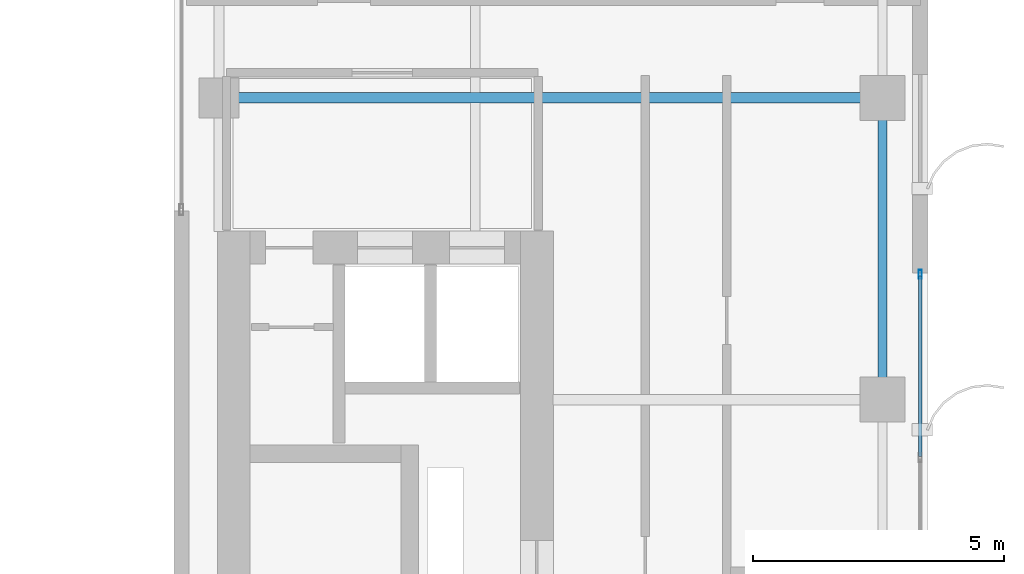
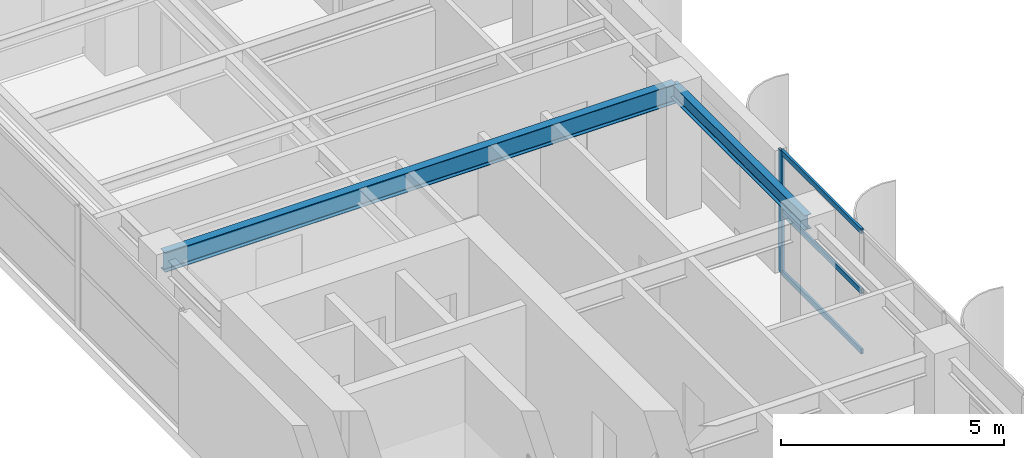
# One storey, part 12 of 22: 4 members, 2 beams, 1 element without a shape of its own.
"""IFC4 building model written with IfcOpenShell, lengths in metres."""

from ifc_helpers import new_model, si_unit, direction, frame, origin, origin_2d, place, context, subcontext, project, spatial, hollow_rectangle, i_section, extrude, source, transform, mapped, material, layer, layer_set, material_profile, profile_set, type_object, element, aggregate, save


model = new_model("IFC4")

# Units and contexts
model_context = context("Model", 3, precision=1e-05, world=origin(), true_north=direction((0.0, 1.0)))
body_context = subcontext(model_context, "Body", "Model", "MODEL_VIEW")
ifc_project = project(units=[si_unit("LENGTHUNIT", "METRE"), si_unit("AREAUNIT", "SQUARE_METRE"), si_unit("VOLUMEUNIT", "CUBIC_METRE"), si_unit("PLANEANGLEUNIT", "RADIAN"), si_unit("MASSUNIT", "GRAM", prefix="KILO")], contexts=[model_context])

# Site, building, storey
site_placement = place(None, origin())
site = spatial("IfcSite", under=ifc_project, at=site_placement, CompositionType="ELEMENT")
building_placement = place(site_placement, origin())
building = spatial("IfcBuilding", under=site, at=building_placement, Name="Khoralis Quay Care Tower", CompositionType="ELEMENT")
storey_placement = place(building_placement, frame((0.0, 0.0, 195.300048828125)))
storey = spatial("IfcBuildingStorey", under=building, at=storey_placement, Name="L51", CompositionType="ELEMENT", Elevation=195.300048828125)

# Beams
ifc_material_1 = material(Name="Steel S355", Category="steel")
ifc_material_profile_1 = material_profile(ifc_material_1, i_section(OverallWidth=0.179931640625, OverallDepth=0.39990234375, WebThickness=0.008544921875, FlangeThickness=0.013427734375, FilletRadius=0.02099609375, at=origin_2d()), Name="Steel S355")
ifc_profile_set_1 = profile_set([ifc_material_profile_1], Name="Steel S355")
beam_type_1 = type_object("IfcBeamType", Name="BM-IPE400", PredefinedType="SPANDREL", material=ifc_profile_set_1)
shared_shape_1 = source(origin(), body_context, "Body", "SweptSolid", [
    extrude(i_section(OverallWidth=0.179931640625, OverallDepth=0.39990234375, WebThickness=0.008544921875, FlangeThickness=0.013427734375, FilletRadius=0.02099609375, at=origin_2d()), origin(), (0.0, 0.0, 1.0), 6.0),
])
beam_1_placement = place(storey_placement, frame((44.10009765625, 24.0, 3.139892578125), z_axis=(0.0, 1.0, 0.0), x_axis=(-1.0, 0.0, 0.0)))
element("IfcBeam", 1, at=beam_1_placement, inside=storey, type_object=beam_type_1, Name="BM-TSP-L51-13", PredefinedType="SPANDREL", context=body_context, shape_type="MappedRepresentation", body=[
    mapped(shared_shape_1, transform((0.0, 0.0, 0.0), scale=1.0)),
])
ifc_material_profile_2 = material_profile(ifc_material_1, i_section(OverallWidth=0.208984375, OverallDepth=0.532958984375, WebThickness=0.01025390625, FlangeThickness=0.015625, FilletRadius=0.01611328125, at=origin_2d()), Name="Steel S355")
ifc_profile_set_2 = profile_set([ifc_material_profile_2], Name="Steel S355")
beam_type_2 = type_object("IfcBeamType", Name="BM-W530X92", PredefinedType="BEAM", material=ifc_profile_set_2)
shared_shape_2 = source(origin(), body_context, "Body", "SweptSolid", [
    extrude(i_section(OverallWidth=0.208984375, OverallDepth=0.532958984375, WebThickness=0.01025390625, FlangeThickness=0.015625, FilletRadius=0.01611328125, at=origin_2d()), origin(), (0.0, 0.0, 1.0), 13.2001953125),
])
beam_2_placement = place(storey_placement, frame((30.89990234375, 30.0, 3.073486328125), z_axis=(1.0, 0.0, 0.0), x_axis=(0.0, 1.0, 0.0)))
element("IfcBeam", 2, at=beam_2_placement, inside=storey, type_object=beam_type_2, Name="BM-TGXE-L51-300", PredefinedType="BEAM", context=body_context, shape_type="MappedRepresentation", body=[
    mapped(shared_shape_2, transform((0.0, 0.0, 0.0), scale=1.0)),
])

# Curtain wall, members
ifc_material_2 = material(Name="Pale anodised aluminium", Category="aluminium")
ifc_layer = layer(ifc_material_2, 0.159912109375)
ifc_layer_set = layer_set([ifc_layer], Name="Pale anodised aluminium")
curtain_wall_type = type_object("IfcCurtainWallType", Name="CW-SYS-Z3", PredefinedType="NOTDEFINED", material=ifc_layer_set)
curtain_wall_placement = place(storey_placement, origin())
curtain_wall = element("IfcCurtainWall", 3, at=curtain_wall_placement, inside=storey, type_object=curtain_wall_type, Name="L51 Unitised Curtain Wall CW-L51-P2-E5", PredefinedType="NOTDEFINED")
ifc_material_profile_3 = material_profile(ifc_material_2, hollow_rectangle(XDim=0.06494140625, YDim=0.179931640625, WallThickness=0.00390625, at=origin_2d()), Name="Pale anodised aluminium")
ifc_profile_set_3 = profile_set([ifc_material_profile_3], Name="Pale anodised aluminium")
member_type_1 = type_object("IfcMemberType", Name="CW-MUL-180", PredefinedType="MULLION", material=ifc_profile_set_3)
shared_shape_3 = source(origin(), body_context, "Body", "SweptSolid", [
    extrude(hollow_rectangle(XDim=0.06494140625, YDim=0.179931640625, WallThickness=0.00390625, at=origin_2d()), origin(), (0.0, 0.0, 1.0), 3.33984375),
])
member_1_placement = place(storey_placement, frame((44.85009765625, 26.489990234375, 0.0), z_axis=(0.0, 0.0, 1.0), x_axis=(-1.0, 0.0, 0.0)))
member_1 = element("IfcMember", 4, at=member_1_placement, type_object=member_type_1, Name="CW3 mullion 4", PredefinedType="MULLION", context=body_context, shape_type="MappedRepresentation", body=[
    mapped(shared_shape_3, transform((0.0, 0.0, 0.0), scale=1.0)),
])
ifc_material_profile_4 = material_profile(ifc_material_2, hollow_rectangle(XDim=0.06005859375, YDim=0.139892578125, WallThickness=0.00390625, at=origin_2d()), Name="Pale anodised aluminium")
ifc_profile_set_4 = profile_set([ifc_material_profile_4], Name="Pale anodised aluminium")
member_type_2 = type_object("IfcMemberType", Name="CW-TRN-140", PredefinedType="USERDEFINED", material=ifc_profile_set_4)
shared_shape_4 = source(origin(), body_context, "Body", "SweptSolid", [
    extrude(hollow_rectangle(XDim=0.06005859375, YDim=0.139892578125, WallThickness=0.00390625, at=origin_2d()), origin(), (0.0, 0.0, 1.0), 3.58984375),
])
member_2_placement = place(storey_placement, frame((44.85009765625, 22.8701171875, 0.030029296875), z_axis=(0.0, 1.0, 0.0), x_axis=(-1.0, 0.0, 0.0)))
member_2 = element("IfcMember", 5, at=member_2_placement, type_object=member_type_2, Name="CW3 transom 3.1", ObjectType="TRANSOM", PredefinedType="USERDEFINED", context=body_context, shape_type="MappedRepresentation", body=[
    mapped(shared_shape_4, transform((0.0, 0.0, 0.0), scale=1.0)),
])
member_3_placement = place(storey_placement, frame((44.85009765625, 22.8701171875, 1.669921875), z_axis=(0.0, 1.0, 0.0), x_axis=(-1.0, 0.0, 0.0)))
member_3 = element("IfcMember", 6, at=member_3_placement, type_object=member_type_2, Name="CW3 transom 3.2", ObjectType="TRANSOM", PredefinedType="USERDEFINED", context=body_context, shape_type="MappedRepresentation", body=[
    mapped(shared_shape_4, transform((0.0, 0.0, 0.0), scale=1.0)),
])
member_4_placement = place(storey_placement, frame((44.85009765625, 22.8701171875, 3.31005859375), z_axis=(0.0, 1.0, 0.0), x_axis=(-1.0, 0.0, 0.0)))
member_4 = element("IfcMember", 7, at=member_4_placement, type_object=member_type_2, Name="CW3 transom 3.3", ObjectType="TRANSOM", PredefinedType="USERDEFINED", context=body_context, shape_type="MappedRepresentation", body=[
    mapped(shared_shape_4, transform((0.0, 0.0, 0.0), scale=1.0)),
])
aggregate(curtain_wall, [member_1, member_2, member_3, member_4])

save(model, "model.ifc")
